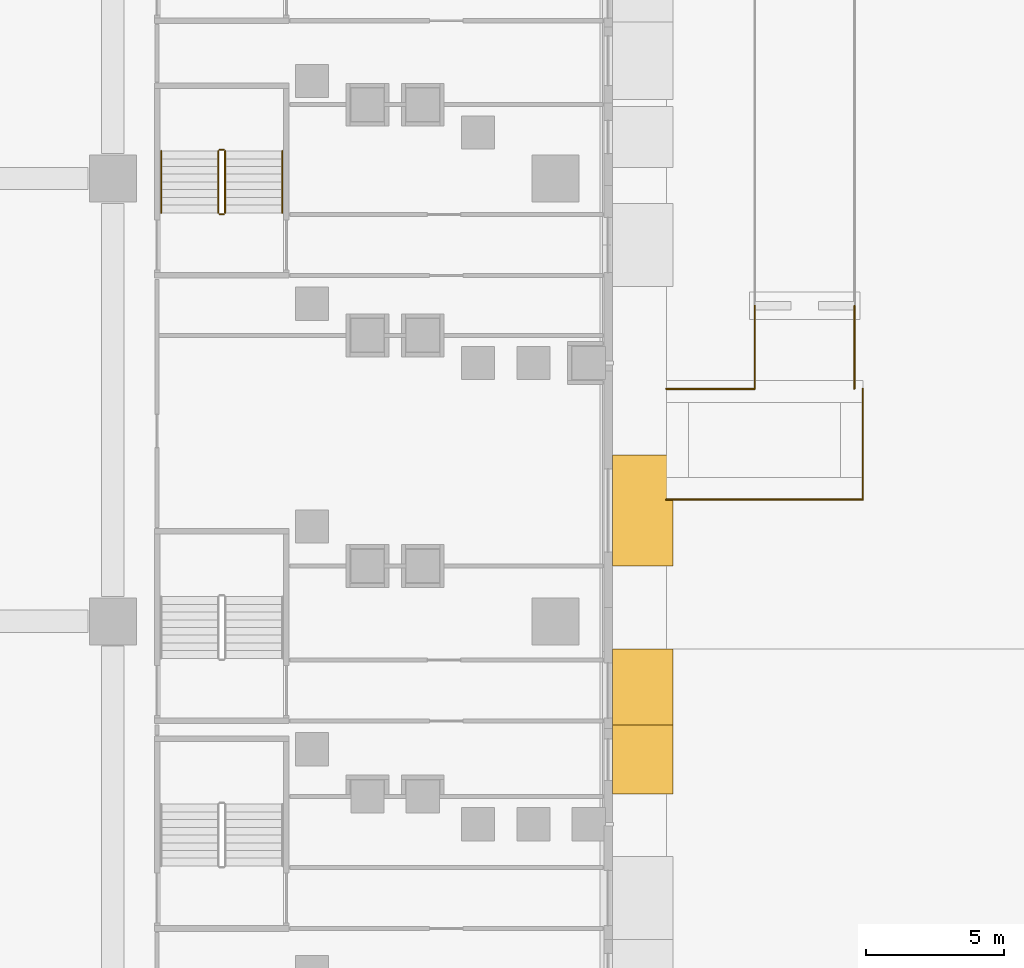
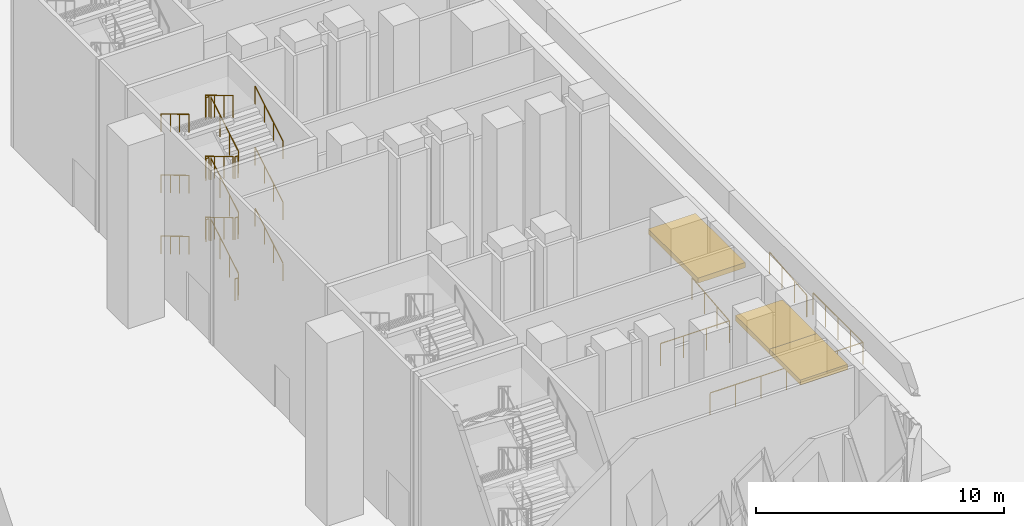
# One storey, part 41 of 51: 23 railings, 3 shading devices.
"""IFC4 building model written with IfcOpenShell, lengths in metres."""

import ifcopenshell
import ifcopenshell.guid

model = None  # the IFC model being written
_history = None  # IfcOwnerHistory: only IFC2X3 demands one
_inside = {}  # id of a spatial element -> (the spatial element, [elements in it])
_under = {}  # id of a project, library or spatial element -> (it, [spatial elements below it])
_declared = {}  # id of a project -> (the project, [libraries it declares])
_typed = {}  # id of a type object -> (the type object, [elements of that type])
_made_of = {}  # id of a material, layer set ... -> (it, [elements and type objects made of it])


def new_model(schema):
    """Start an empty IFC model of exactly this schema.

    Asked for "IFC4X3", IfcOpenShell would pick the latest addendum, in which some entities
    have other attributes; the version numbers below select the first issue.
    IFC2X3 requires an IfcOwnerHistory on every rooted entity: one is made here for all.
    """
    global model, _history
    if schema == "IFC4X3":
        model = ifcopenshell.file(schema_version=(4, 3, 0, 0))
    else:
        model = ifcopenshell.file(schema=schema)
    _inside.clear()
    _under.clear()
    _declared.clear()
    _typed.clear()
    _made_of.clear()
    _history = None
    if model.schema == "IFC2X3":
        org = make("IfcOrganization", Name="unknown")
        user = make(
            "IfcPersonAndOrganization",
            ThePerson=make("IfcPerson", FamilyName="unknown"),
            TheOrganization=org,
        )
        app = make(
            "IfcApplication",
            ApplicationDeveloper=org,
            Version="unknown",
            ApplicationFullName="unknown",
            ApplicationIdentifier="unknown",
        )
        _history = make(
            "IfcOwnerHistory",
            OwningUser=user,
            OwningApplication=app,
            ChangeAction="ADDED",
            CreationDate=0,
        )
    return model


def make(cls, **values):
    """One entity of the class cls with the attributes given. An attribute that is None is left unset."""
    return model.create_entity(
        cls, **{name: value for name, value in values.items() if value is not None}
    )


def rooted(cls, **values):
    """An entity with a GlobalId (a new one), such as an element, a storey or a relation."""
    return make(cls, GlobalId=ifcopenshell.guid.new(), OwnerHistory=_history, **values)


def si_unit(unit_type, name, prefix=None):
    """IfcSIUnit, for example si_unit("LENGTHUNIT", "METRE", prefix="MILLI")."""
    return make("IfcSIUnit", UnitType=unit_type, Prefix=prefix, Name=name)


def assignment(units):
    """IfcUnitAssignment: the units of a project."""
    return None if units is None else make("IfcUnitAssignment", Units=units)


def point(xyz):
    """IfcCartesianPoint."""
    return None if xyz is None else make("IfcCartesianPoint", Coordinates=xyz)


def direction(xyz):
    """IfcDirection."""
    return None if xyz is None else make("IfcDirection", DirectionRatios=xyz)


def frame(location, z_axis=None, x_axis=None):
    """IfcAxis2Placement3D, a coordinate frame: its origin and axes. An axis left out is left unset."""
    return make(
        "IfcAxis2Placement3D",
        Location=point(location),
        Axis=direction(z_axis),
        RefDirection=direction(x_axis),
    )


def frame_2d(location, x_axis=None):
    """IfcAxis2Placement2D, a coordinate frame in the plane: its origin and x axis."""
    return make(
        "IfcAxis2Placement2D", Location=point(location), RefDirection=direction(x_axis)
    )


def origin():
    """The frame at (0, 0, 0) with its axes left unset."""
    return frame((0.0, 0.0, 0.0))


def origin_2d():
    """The frame at (0, 0) in the plane with its x axis left unset."""
    return frame_2d((0.0, 0.0))


def place(relative_to, where):
    """IfcLocalPlacement: puts the frame where relative to a parent placement (None: the world)."""
    return make(
        "IfcLocalPlacement", PlacementRelTo=relative_to, RelativePlacement=where
    )


def context(
    kind, dimensions, precision=None, world=None, true_north=None, identifier=None
):
    """IfcGeometricRepresentationContext, for example the 3D "Model" context."""
    return make(
        "IfcGeometricRepresentationContext",
        ContextIdentifier=identifier,
        ContextType=kind,
        CoordinateSpaceDimension=dimensions,
        Precision=precision,
        WorldCoordinateSystem=world,
        TrueNorth=true_north,
    )


def subcontext(parent, identifier, kind, view, scale=None):
    """IfcGeometricRepresentationSubContext, for example "Body" below "Model"."""
    return make(
        "IfcGeometricRepresentationSubContext",
        ContextIdentifier=identifier,
        ContextType=kind,
        ParentContext=parent,
        TargetScale=scale,
        TargetView=view,
    )


def project(units=None, contexts=None):
    """IfcProject with its units and contexts."""
    return rooted(
        "IfcProject",
        Name="project",
        RepresentationContexts=contexts,
        UnitsInContext=assignment(units),
    )


def spatial(cls, under=None, at=None, **own):
    """A site, building, storey or space (cls), placed at a placement, below another one or the project."""
    s = rooted(cls, ObjectPlacement=at, **own)
    if under is not None:
        _under.setdefault(under.id(), (under, []))[1].append(s)
    return s


def profile(cls, at=None, kind="AREA", **sizes):
    """A parametric profile (cls). Its sizes go by their IFC names, for example OverallWidth=200.0."""
    return make(cls, ProfileType=kind, Position=at, **sizes)


def rectangle(**sizes):
    """IfcRectangleProfileDef."""
    return profile("IfcRectangleProfileDef", **sizes)


def circle(**sizes):
    """IfcCircleProfileDef."""
    return profile("IfcCircleProfileDef", **sizes)


def extrude(swept, where, along, depth):
    """IfcExtrudedAreaSolid: the profile swept, set in the frame where, extruded along a direction by depth."""
    return make(
        "IfcExtrudedAreaSolid",
        SweptArea=swept,
        Position=where,
        ExtrudedDirection=direction(along),
        Depth=depth,
    )


def shape(context_of_items, identifier, shape_type, items):
    """IfcShapeRepresentation: the items that make up one representation, for example the "Body"."""
    return make(
        "IfcShapeRepresentation",
        ContextOfItems=context_of_items,
        RepresentationIdentifier=identifier,
        RepresentationType=shape_type,
        Items=items,
    )


def material(Name=None, Category=None):
    """IfcMaterial."""
    return make("IfcMaterial", Name=Name, Category=Category)


def layer(
    of_material, thickness, ventilated=None, Name=None, Category=None, Priority=None
):
    """IfcMaterialLayer: one layer of a wall or slab, of a material (None: an air gap)."""
    return make(
        "IfcMaterialLayer",
        Material=of_material,
        LayerThickness=thickness,
        IsVentilated=ventilated,
        Name=Name,
        Category=Category,
        Priority=Priority,
    )


def layer_set(layers, Name=None):
    """IfcMaterialLayerSet."""
    return make("IfcMaterialLayerSet", MaterialLayers=layers, LayerSetName=Name)


def made_of(thing, what):
    """Note that an element or type object is made of a material, layer set ...; save() writes the relation."""
    if what is not None:
        _made_of.setdefault(what.id(), (what, []))[1].append(thing)
    return thing


def type_object(cls, material=None, **own):
    """A type object (cls), such as IfcWallType, which elements share."""
    return made_of(rooted(cls, **own), material)


def element(
    cls,
    number,
    at=None,
    inside=None,
    cuts=None,
    type_object=None,
    material=None,
    context=None,
    identifier="Body",
    shape_type=None,
    held_by="IfcProductDefinitionShape",
    body=None,
    shapes=None,
    **own,
):
    """One element of the class cls, such as IfcWall. Its Tag is "e" and its number.

    at: its placement. inside: the storey or other place that contains it. cuts: it is an
    opening in that element (IfcRelVoidsElement). A single representation is given by context,
    identifier, shape_type and body (its items); several are given by shapes. held_by: the class
    of the entity that holds the representations. save() writes the other relations.
    """
    e = rooted(cls, Tag="e%d" % number, ObjectPlacement=at, **own)
    if body is not None:
        shapes = [shape(context, identifier, shape_type, body)]
    if shapes is not None:
        e.Representation = make(held_by, Representations=shapes)
    if inside is not None:
        _inside.setdefault(inside.id(), (inside, []))[1].append(e)
    if cuts is not None:
        rooted(
            "IfcRelVoidsElement", RelatingBuildingElement=cuts, RelatedOpeningElement=e
        )
    if type_object is not None:
        _typed.setdefault(type_object.id(), (type_object, []))[1].append(e)
    return made_of(e, material)


def aggregate(whole, parts):
    """IfcRelAggregates: a whole, such as a stair, and the parts it consists of."""
    return rooted("IfcRelAggregates", RelatingObject=whole, RelatedObjects=parts)


def save(model, path):
    """Write the relations noted so far, then the file.

    IfcRelAggregates (storeys below a building ...), IfcRelContainedInSpatialStructure (elements
    in a storey), IfcRelDefinesByType, IfcRelAssociatesMaterial and IfcRelDeclares: one each for
    every whole, place, type object, material and project.
    """
    for whole, parts in _under.values():
        aggregate(whole, parts)
    for where, things in _inside.values():
        rooted(
            "IfcRelContainedInSpatialStructure",
            RelatedElements=things,
            RelatingStructure=where,
        )
    for kind, things in _typed.values():
        rooted("IfcRelDefinesByType", RelatedObjects=things, RelatingType=kind)
    for what, things in _made_of.values():
        rooted("IfcRelAssociatesMaterial", RelatedObjects=things, RelatingMaterial=what)
    for by, libraries in _declared.values():
        rooted("IfcRelDeclares", RelatingContext=by, RelatedDefinitions=libraries)
    model.write(path)


model = new_model("IFC4")

# Units and contexts
model_context = context("Model", 3, precision=1e-05, world=origin(), true_north=direction((0.0, 1.0)))
body_context = subcontext(model_context, "Body", "Model", "MODEL_VIEW")
ifc_project = project(units=[si_unit("LENGTHUNIT", "METRE"), si_unit("AREAUNIT", "SQUARE_METRE"), si_unit("VOLUMEUNIT", "CUBIC_METRE"), si_unit("PLANEANGLEUNIT", "RADIAN"), si_unit("MASSUNIT", "GRAM", prefix="KILO")], contexts=[model_context])

# Site, building, storey
site_placement = place(None, origin())
site = spatial("IfcSite", under=ifc_project, at=site_placement, CompositionType="ELEMENT")
building_placement = place(site_placement, origin())
building = spatial("IfcBuilding", under=site, at=building_placement, Name="Calabash Gate Tower", CompositionType="ELEMENT")
storey_placement = place(building_placement, origin())
storey = spatial("IfcBuildingStorey", under=building, at=storey_placement, Name="L00", CompositionType="ELEMENT", Elevation=0.0)

# Shading devices
ifc_material_1 = material(Name="Steel framed canopy with laminated glass", Category="steel")
ifc_layer = layer(ifc_material_1, 0.25)
ifc_layer_set = layer_set([ifc_layer], Name="Entrance canopy 250")
shading_device_type = type_object("IfcShadingDeviceType", Name="Entrance canopy 250", PredefinedType="AWNING", material=ifc_layer_set)
shading_device_1_placement = place(storey_placement, frame((51.14990234375, -28.99609375, 3.60009765625), z_axis=(0.0, 0.0, 1.0), x_axis=(0.0, 1.0, 0.0)))
element("IfcShadingDevice", 1, at=shading_device_1_placement, inside=storey, type_object=shading_device_type, Name="Entrance canopy 8", PredefinedType="AWNING", context=body_context, shape_type="SweptSolid", body=[
    extrude(rectangle(XDim=2.5, YDim=2.199951171875, at=origin_2d()), origin(), (0.0, 0.0, 1.0), 0.25),
])
shading_device_2_placement = place(storey_placement, frame((51.14990234375, -26.5, 3.60009765625), z_axis=(0.0, 0.0, 1.0), x_axis=(0.0, 1.0, 0.0)))
element("IfcShadingDevice", 2, at=shading_device_2_placement, inside=storey, type_object=shading_device_type, Name="Entrance canopy 9", PredefinedType="AWNING", context=body_context, shape_type="SweptSolid", body=[
    extrude(rectangle(XDim=3.0, YDim=2.199951171875, at=origin_2d()), origin(), (0.0, 0.0, 1.0), 0.25),
])
shading_device_3_placement = place(storey_placement, frame((51.14990234375, -19.99609375, 3.60009765625), z_axis=(0.0, 0.0, 1.0), x_axis=(0.0, 1.0, 0.0)))
element("IfcShadingDevice", 3, at=shading_device_3_placement, inside=storey, type_object=shading_device_type, Name="Entrance canopy 10", PredefinedType="AWNING", context=body_context, shape_type="SweptSolid", body=[
    extrude(rectangle(XDim=4.0, YDim=2.199951171875, at=origin_2d()), origin(), (0.0, 0.0, 1.0), 0.25),
])

# Railings
ifc_material_2 = material(Name="Galvanised steel balusters", Category="steel")
railing_type_1 = type_object("IfcRailingType", Name="Ramp guard RG1100", PredefinedType="GUARDRAIL", material=ifc_material_2)
for number, where, name in (
    (4, (55.199951171875, -15.60009765625, -5.0), "Entry Ramp guard"),
    (5, (58.800048828125, -15.60009765625, -5.0), "Entry Ramp guard"),
):
    element("IfcRailing", number, at=place(storey_placement, frame(where)), inside=storey, type_object=railing_type_1, Name=name, PredefinedType="GUARDRAIL", context=body_context, shape_type="SweptSolid", body=[
        extrude(circle(Radius=0.02392578125, at=origin_2d()), frame((0.0, 0.0, 1.076171875), z_axis=(0.0, 0.995035586592, 0.0995197539), x_axis=(-1.0, 0.0, 0.0)), (0.0, 0.0, 1.0), 3.014892578125),
        extrude(circle(Radius=0.02099609375, at=origin_2d()), origin(), (0.0, 0.0, 1.0), 1.052001953125),
        extrude(circle(Radius=0.02099609375, at=origin_2d()), frame((0.0, 1.0, 0.10009765625)), (0.0, 0.0, 1.0), 1.052001953125),
        extrude(circle(Radius=0.02099609375, at=origin_2d()), frame((0.0, 2.0, 0.199951171875)), (0.0, 0.0, 1.0), 1.052001953125),
        extrude(circle(Radius=0.02099609375, at=origin_2d()), frame((0.0, 3.0, 0.300048828125)), (0.0, 0.0, 1.0), 1.052001953125),
    ])
railing_1_placement = place(storey_placement, frame((52.0, -19.60009765625, -5.0)))
element("IfcRailing", 6, at=railing_1_placement, inside=storey, type_object=railing_type_1, Name="Entry Ramp landing guard", PredefinedType="GUARDRAIL", context=body_context, shape_type="SweptSolid", body=[
    extrude(circle(Radius=0.02392578125, at=origin_2d()), frame((0.0, 0.0, 1.076171875), z_axis=(1.0, 0.0, 0.0), x_axis=(0.0, 1.0, 0.0)), (0.0, 0.0, 1.0), 7.10009765625),
    extrude(circle(Radius=0.02099609375, at=origin_2d()), origin(), (0.0, 0.0, 1.0), 1.052001953125),
    extrude(circle(Radius=0.02099609375, at=origin_2d()), frame((1.183349609375, 0.0, 0.0)), (0.0, 0.0, 1.0), 1.052001953125),
    extrude(circle(Radius=0.02099609375, at=origin_2d()), frame((2.36669921875, 0.0, 0.0)), (0.0, 0.0, 1.0), 1.052001953125),
    extrude(circle(Radius=0.02099609375, at=origin_2d()), frame((3.550048828125, 0.0, 0.0)), (0.0, 0.0, 1.0), 1.052001953125),
    extrude(circle(Radius=0.02099609375, at=origin_2d()), frame((4.7333984375, 0.0, 0.0)), (0.0, 0.0, 1.0), 1.052001953125),
    extrude(circle(Radius=0.02099609375, at=origin_2d()), frame((5.916748046875, 0.0, 0.0)), (0.0, 0.0, 1.0), 1.052001953125),
    extrude(circle(Radius=0.02099609375, at=origin_2d()), frame((7.10009765625, 0.0, 0.0)), (0.0, 0.0, 1.0), 1.052001953125),
])
railing_2_placement = place(storey_placement, frame((59.10009765625, -19.60009765625, -5.0)))
element("IfcRailing", 7, at=railing_2_placement, inside=storey, type_object=railing_type_1, Name="Entry Ramp landing guard", PredefinedType="GUARDRAIL", context=body_context, shape_type="SweptSolid", body=[
    extrude(circle(Radius=0.02392578125, at=origin_2d()), frame((0.0, 0.0, 1.076171875), z_axis=(0.0, 1.0, 0.0), x_axis=(-1.0, 0.0, 0.0)), (0.0, 0.0, 1.0), 4.0),
    extrude(circle(Radius=0.02099609375, at=origin_2d()), origin(), (0.0, 0.0, 1.0), 1.052001953125),
    extrude(circle(Radius=0.02099609375, at=origin_2d()), frame((0.0, 1.0, 0.0)), (0.0, 0.0, 1.0), 1.052001953125),
    extrude(circle(Radius=0.02099609375, at=origin_2d()), frame((0.0, 2.0, 0.0)), (0.0, 0.0, 1.0), 1.052001953125),
    extrude(circle(Radius=0.02099609375, at=origin_2d()), frame((0.0, 3.0, 0.0)), (0.0, 0.0, 1.0), 1.052001953125),
    extrude(circle(Radius=0.02099609375, at=origin_2d()), frame((0.0, 4.0, 0.0)), (0.0, 0.0, 1.0), 1.052001953125),
])
railing_3_placement = place(storey_placement, frame((52.0, -15.60009765625, -5.0)))
element("IfcRailing", 8, at=railing_3_placement, inside=storey, type_object=railing_type_1, Name="Entry Ramp landing guard", PredefinedType="GUARDRAIL", context=body_context, shape_type="SweptSolid", body=[
    extrude(circle(Radius=0.02392578125, at=origin_2d()), frame((0.0, 0.0, 1.076171875), z_axis=(1.0, 0.0, 0.0), x_axis=(0.0, 1.0, 0.0)), (0.0, 0.0, 1.0), 3.199951171875),
    extrude(circle(Radius=0.02099609375, at=origin_2d()), origin(), (0.0, 0.0, 1.0), 1.052001953125),
    extrude(circle(Radius=0.02099609375, at=origin_2d()), frame((1.066650390625, 0.0, 0.0)), (0.0, 0.0, 1.0), 1.052001953125),
    extrude(circle(Radius=0.02099609375, at=origin_2d()), frame((2.13330078125, 0.0, 0.0)), (0.0, 0.0, 1.0), 1.052001953125),
    extrude(circle(Radius=0.02099609375, at=origin_2d()), frame((3.199951171875, 0.0, 0.0)), (0.0, 0.0, 1.0), 1.052001953125),
])
ifc_material_3 = material(Name="Black powder-coated steel balusters", Category="steel")
railing_type_2 = type_object("IfcRailingType", Name="Stair guard RL1100", PredefinedType="GUARDRAIL", material=ifc_material_3)
railing_4_placement = place(storey_placement, frame((36.06005859375, -9.239990234375, 0.166748046875)))
element("IfcRailing", 9, at=railing_4_placement, inside=storey, type_object=railing_type_2, Name="L00 PS8 stair guard 1", PredefinedType="GUARDRAIL", context=body_context, shape_type="SweptSolid", body=[
    extrude(circle(Radius=0.02392578125, at=origin_2d()), frame((0.0, 0.0, 1.076171875), z_axis=(0.0, 0.858493888361, 0.512823793955), x_axis=(-1.0, 0.0, 0.0)), (0.0, 0.0, 1.0), 2.599853515625),
    extrude(circle(Radius=0.02099609375, at=origin_2d()), origin(), (0.0, 0.0, 1.0), 1.052001953125),
    extrude(circle(Radius=0.02099609375, at=origin_2d()), frame((0.0, 0.743896484375, 0.4443359375)), (0.0, 0.0, 1.0), 1.052001953125),
    extrude(circle(Radius=0.02099609375, at=origin_2d()), frame((0.0, 1.488037109375, 0.888916015625)), (0.0, 0.0, 1.0), 1.052001953125),
    extrude(circle(Radius=0.02099609375, at=origin_2d()), frame((0.0, 2.23193359375, 1.333251953125)), (0.0, 0.0, 1.0), 1.052001953125),
])
railing_5_placement = place(storey_placement, frame((36.010009765625, -6.9580078125, 1.5)))
element("IfcRailing", 10, at=railing_5_placement, inside=storey, type_object=railing_type_2, Name="L00 PS8 stair guard 2", PredefinedType="GUARDRAIL", context=body_context, shape_type="SweptSolid", body=[
    extrude(circle(Radius=0.02392578125, at=origin_2d()), frame((0.0, 0.0, 1.076171875), z_axis=(-1.0, 0.0, 0.0), x_axis=(0.0, -1.0, 0.0)), (0.0, 0.0, 1.0), 0.14990234375),
    extrude(circle(Radius=0.02099609375, at=origin_2d()), origin(), (0.0, 0.0, 1.0), 1.052001953125),
    extrude(circle(Radius=0.02099609375, at=origin_2d()), frame((-0.14990234375, 0.0, 0.0)), (0.0, 0.0, 1.0), 1.052001953125),
])
railing_6_placement = place(storey_placement, frame((35.81005859375, -7.008056640625, 1.666748046875)))
element("IfcRailing", 11, at=railing_6_placement, inside=storey, type_object=railing_type_2, Name="L00 PS8 stair guard 3", PredefinedType="GUARDRAIL", context=body_context, shape_type="SweptSolid", body=[
    extrude(circle(Radius=0.02392578125, at=origin_2d()), frame((0.0, 0.0, 1.076171875), z_axis=(0.0, -0.858493888361, 0.512823793955), x_axis=(1.0, 0.0, 0.0)), (0.0, 0.0, 1.0), 2.599853515625),
    extrude(circle(Radius=0.02099609375, at=origin_2d()), origin(), (0.0, 0.0, 1.0), 1.052001953125),
    extrude(circle(Radius=0.02099609375, at=origin_2d()), frame((0.0, -0.743896484375, 0.4443359375)), (0.0, 0.0, 1.0), 1.052001953125),
    extrude(circle(Radius=0.02099609375, at=origin_2d()), frame((0.0, -1.488037109375, 0.888916015625)), (0.0, 0.0, 1.0), 1.052001953125),
    extrude(circle(Radius=0.02099609375, at=origin_2d()), frame((0.0, -2.23193359375, 1.333251953125)), (0.0, 0.0, 1.0), 1.052001953125),
])
railing_7_placement = place(storey_placement, frame((36.010009765625, -9.2900390625, 3.0)))
element("IfcRailing", 12, at=railing_7_placement, inside=storey, type_object=railing_type_2, Name="L00 PS8 stair guard 4", PredefinedType="GUARDRAIL", context=body_context, shape_type="SweptSolid", body=[
    extrude(circle(Radius=0.02392578125, at=origin_2d()), frame((0.0, 0.0, 1.076171875), z_axis=(-1.0, 0.0, 0.0), x_axis=(0.0, -1.0, 0.0)), (0.0, 0.0, 1.0), 0.14990234375),
    extrude(circle(Radius=0.02099609375, at=origin_2d()), origin(), (0.0, 0.0, 1.0), 1.052001953125),
    extrude(circle(Radius=0.02099609375, at=origin_2d()), frame((-0.14990234375, 0.0, 0.0)), (0.0, 0.0, 1.0), 1.052001953125),
])
railing_8_placement = place(storey_placement, frame((36.06005859375, -9.239990234375, 3.166748046875)))
element("IfcRailing", 13, at=railing_8_placement, inside=storey, type_object=railing_type_2, Name="L00 PS8 stair guard 5", PredefinedType="GUARDRAIL", context=body_context, shape_type="SweptSolid", body=[
    extrude(circle(Radius=0.02392578125, at=origin_2d()), frame((0.0, 0.0, 1.076171875), z_axis=(0.0, 0.858493888361, 0.512823793955), x_axis=(-1.0, 0.0, 0.0)), (0.0, 0.0, 1.0), 2.599853515625),
    extrude(circle(Radius=0.02099609375, at=origin_2d()), origin(), (0.0, 0.0, 1.0), 1.052001953125),
    extrude(circle(Radius=0.02099609375, at=origin_2d()), frame((0.0, 0.743896484375, 0.4443359375)), (0.0, 0.0, 1.0), 1.052001953125),
    extrude(circle(Radius=0.02099609375, at=origin_2d()), frame((0.0, 1.488037109375, 0.888916015625)), (0.0, 0.0, 1.0), 1.052001953125),
    extrude(circle(Radius=0.02099609375, at=origin_2d()), frame((0.0, 2.23193359375, 1.333251953125)), (0.0, 0.0, 1.0), 1.052001953125),
])
railing_9_placement = place(storey_placement, frame((36.010009765625, -6.9580078125, 4.5)))
element("IfcRailing", 14, at=railing_9_placement, inside=storey, type_object=railing_type_2, Name="L00 PS8 stair guard 6", PredefinedType="GUARDRAIL", context=body_context, shape_type="SweptSolid", body=[
    extrude(circle(Radius=0.02392578125, at=origin_2d()), frame((0.0, 0.0, 1.076171875), z_axis=(-1.0, 0.0, 0.0), x_axis=(0.0, -1.0, 0.0)), (0.0, 0.0, 1.0), 0.14990234375),
    extrude(circle(Radius=0.02099609375, at=origin_2d()), origin(), (0.0, 0.0, 1.0), 1.052001953125),
    extrude(circle(Radius=0.02099609375, at=origin_2d()), frame((-0.14990234375, 0.0, 0.0)), (0.0, 0.0, 1.0), 1.052001953125),
])
railing_10_placement = place(storey_placement, frame((35.81005859375, -7.008056640625, 4.666748046875)))
element("IfcRailing", 15, at=railing_10_placement, inside=storey, type_object=railing_type_2, Name="L00 PS8 stair guard 7", PredefinedType="GUARDRAIL", context=body_context, shape_type="SweptSolid", body=[
    extrude(circle(Radius=0.02392578125, at=origin_2d()), frame((0.0, 0.0, 1.076171875), z_axis=(0.0, -0.858493888361, 0.512823793955), x_axis=(1.0, 0.0, 0.0)), (0.0, 0.0, 1.0), 2.599853515625),
    extrude(circle(Radius=0.02099609375, at=origin_2d()), origin(), (0.0, 0.0, 1.0), 1.052001953125),
    extrude(circle(Radius=0.02099609375, at=origin_2d()), frame((0.0, -0.743896484375, 0.4443359375)), (0.0, 0.0, 1.0), 1.052001953125),
    extrude(circle(Radius=0.02099609375, at=origin_2d()), frame((0.0, -1.488037109375, 0.888916015625)), (0.0, 0.0, 1.0), 1.052001953125),
    extrude(circle(Radius=0.02099609375, at=origin_2d()), frame((0.0, -2.23193359375, 1.333251953125)), (0.0, 0.0, 1.0), 1.052001953125),
])
railing_11_placement = place(storey_placement, frame((36.010009765625, -9.2900390625, 6.0)))
element("IfcRailing", 16, at=railing_11_placement, inside=storey, type_object=railing_type_2, Name="L00 PS8 stair guard 8", PredefinedType="GUARDRAIL", context=body_context, shape_type="SweptSolid", body=[
    extrude(circle(Radius=0.02392578125, at=origin_2d()), frame((0.0, 0.0, 1.076171875), z_axis=(-1.0, 0.0, 0.0), x_axis=(0.0, -1.0, 0.0)), (0.0, 0.0, 1.0), 0.14990234375),
    extrude(circle(Radius=0.02099609375, at=origin_2d()), origin(), (0.0, 0.0, 1.0), 1.052001953125),
    extrude(circle(Radius=0.02099609375, at=origin_2d()), frame((-0.14990234375, 0.0, 0.0)), (0.0, 0.0, 1.0), 1.052001953125),
])
railing_12_placement = place(storey_placement, frame((36.06005859375, -9.239990234375, 6.166748046875)))
element("IfcRailing", 17, at=railing_12_placement, inside=storey, type_object=railing_type_2, Name="L00 PS8 stair guard 9", PredefinedType="GUARDRAIL", context=body_context, shape_type="SweptSolid", body=[
    extrude(circle(Radius=0.02392578125, at=origin_2d()), frame((0.0, 0.0, 1.076171875), z_axis=(0.0, 0.858493888361, 0.512823793955), x_axis=(-1.0, 0.0, 0.0)), (0.0, 0.0, 1.0), 2.599853515625),
    extrude(circle(Radius=0.02099609375, at=origin_2d()), origin(), (0.0, 0.0, 1.0), 1.052001953125),
    extrude(circle(Radius=0.02099609375, at=origin_2d()), frame((0.0, 0.743896484375, 0.4443359375)), (0.0, 0.0, 1.0), 1.052001953125),
    extrude(circle(Radius=0.02099609375, at=origin_2d()), frame((0.0, 1.488037109375, 0.888916015625)), (0.0, 0.0, 1.0), 1.052001953125),
    extrude(circle(Radius=0.02099609375, at=origin_2d()), frame((0.0, 2.23193359375, 1.333251953125)), (0.0, 0.0, 1.0), 1.052001953125),
])
railing_13_placement = place(storey_placement, frame((36.010009765625, -6.9580078125, 7.5)))
element("IfcRailing", 18, at=railing_13_placement, inside=storey, type_object=railing_type_2, Name="L00 PS8 stair guard 10", PredefinedType="GUARDRAIL", context=body_context, shape_type="SweptSolid", body=[
    extrude(circle(Radius=0.02392578125, at=origin_2d()), frame((0.0, 0.0, 1.076171875), z_axis=(-1.0, 0.0, 0.0), x_axis=(0.0, -1.0, 0.0)), (0.0, 0.0, 1.0), 0.14990234375),
    extrude(circle(Radius=0.02099609375, at=origin_2d()), origin(), (0.0, 0.0, 1.0), 1.052001953125),
    extrude(circle(Radius=0.02099609375, at=origin_2d()), frame((-0.14990234375, 0.0, 0.0)), (0.0, 0.0, 1.0), 1.052001953125),
])
railing_14_placement = place(storey_placement, frame((35.81005859375, -7.008056640625, 7.666748046875)))
element("IfcRailing", 19, at=railing_14_placement, inside=storey, type_object=railing_type_2, Name="L00 PS8 stair guard 11", PredefinedType="GUARDRAIL", context=body_context, shape_type="SweptSolid", body=[
    extrude(circle(Radius=0.02392578125, at=origin_2d()), frame((0.0, 0.0, 1.076171875), z_axis=(0.0, -0.858493888361, 0.512823793955), x_axis=(1.0, 0.0, 0.0)), (0.0, 0.0, 1.0), 2.599853515625),
    extrude(circle(Radius=0.02099609375, at=origin_2d()), origin(), (0.0, 0.0, 1.0), 1.052001953125),
    extrude(circle(Radius=0.02099609375, at=origin_2d()), frame((0.0, -0.743896484375, 0.4443359375)), (0.0, 0.0, 1.0), 1.052001953125),
    extrude(circle(Radius=0.02099609375, at=origin_2d()), frame((0.0, -1.488037109375, 0.888916015625)), (0.0, 0.0, 1.0), 1.052001953125),
    extrude(circle(Radius=0.02099609375, at=origin_2d()), frame((0.0, -2.23193359375, 1.333251953125)), (0.0, 0.0, 1.0), 1.052001953125),
])
railing_15_placement = place(storey_placement, frame((36.010009765625, -9.2900390625, 0.0)))
element("IfcRailing", 20, at=railing_15_placement, inside=storey, type_object=railing_type_2, Name="L00 PS8 stair guard 12", PredefinedType="GUARDRAIL", context=body_context, shape_type="SweptSolid", body=[
    extrude(circle(Radius=0.02392578125, at=origin_2d()), frame((0.0, 0.0, 1.076171875), z_axis=(-1.0, 0.0, 0.0), x_axis=(0.0, -1.0, 0.0)), (0.0, 0.0, 1.0), 0.14990234375),
    extrude(circle(Radius=0.02099609375, at=origin_2d()), origin(), (0.0, 0.0, 1.0), 1.052001953125),
    extrude(circle(Radius=0.02099609375, at=origin_2d()), frame((-0.14990234375, 0.0, 0.0)), (0.0, 0.0, 1.0), 1.052001953125),
])
ifc_material_4 = material(Name="Black powder-coated steel tube 48 mm", Category="steel")
railing_type_3 = type_object("IfcRailingType", Name="Stair handrail RL900", PredefinedType="HANDRAIL", material=ifc_material_4)
railing_16_placement = place(storey_placement, frame((38.1201171875, -9.239990234375, 0.166748046875)))
element("IfcRailing", 21, at=railing_16_placement, inside=storey, type_object=railing_type_3, Name="L00 PS8 stair handrail 1", PredefinedType="HANDRAIL", context=body_context, shape_type="SweptSolid", body=[
    extrude(circle(Radius=0.02392578125, at=origin_2d()), frame((0.0, 0.0, 0.8759765625), z_axis=(0.0, 0.858493888361, 0.512823793955), x_axis=(-1.0, 0.0, 0.0)), (0.0, 0.0, 1.0), 2.599853515625),
    extrude(circle(Radius=0.02099609375, at=origin_2d()), origin(), (0.0, 0.0, 1.0), 0.851806640625),
    extrude(circle(Radius=0.02099609375, at=origin_2d()), frame((0.0, 0.743896484375, 0.4443359375)), (0.0, 0.0, 1.0), 0.851806640625),
    extrude(circle(Radius=0.02099609375, at=origin_2d()), frame((0.0, 1.488037109375, 0.888916015625)), (0.0, 0.0, 1.0), 0.851806640625),
    extrude(circle(Radius=0.02099609375, at=origin_2d()), frame((0.0, 2.23193359375, 1.333251953125)), (0.0, 0.0, 1.0), 0.851806640625),
])
railing_17_placement = place(storey_placement, frame((33.75, -7.008056640625, 1.666748046875)))
element("IfcRailing", 22, at=railing_17_placement, inside=storey, type_object=railing_type_3, Name="L00 PS8 stair handrail 2", PredefinedType="HANDRAIL", context=body_context, shape_type="SweptSolid", body=[
    extrude(circle(Radius=0.02392578125, at=origin_2d()), frame((0.0, 0.0, 0.8759765625), z_axis=(0.0, -0.858493888361, 0.512823793955), x_axis=(1.0, 0.0, 0.0)), (0.0, 0.0, 1.0), 2.599853515625),
    extrude(circle(Radius=0.02099609375, at=origin_2d()), origin(), (0.0, 0.0, 1.0), 0.851806640625),
    extrude(circle(Radius=0.02099609375, at=origin_2d()), frame((0.0, -0.743896484375, 0.4443359375)), (0.0, 0.0, 1.0), 0.851806640625),
    extrude(circle(Radius=0.02099609375, at=origin_2d()), frame((0.0, -1.488037109375, 0.888916015625)), (0.0, 0.0, 1.0), 0.851806640625),
    extrude(circle(Radius=0.02099609375, at=origin_2d()), frame((0.0, -2.23193359375, 1.333251953125)), (0.0, 0.0, 1.0), 0.851806640625),
])
railing_18_placement = place(storey_placement, frame((38.1201171875, -9.239990234375, 3.166748046875)))
element("IfcRailing", 23, at=railing_18_placement, inside=storey, type_object=railing_type_3, Name="L00 PS8 stair handrail 3", PredefinedType="HANDRAIL", context=body_context, shape_type="SweptSolid", body=[
    extrude(circle(Radius=0.02392578125, at=origin_2d()), frame((0.0, 0.0, 0.8759765625), z_axis=(0.0, 0.858493888361, 0.512823793955), x_axis=(-1.0, 0.0, 0.0)), (0.0, 0.0, 1.0), 2.599853515625),
    extrude(circle(Radius=0.02099609375, at=origin_2d()), origin(), (0.0, 0.0, 1.0), 0.851806640625),
    extrude(circle(Radius=0.02099609375, at=origin_2d()), frame((0.0, 0.743896484375, 0.4443359375)), (0.0, 0.0, 1.0), 0.851806640625),
    extrude(circle(Radius=0.02099609375, at=origin_2d()), frame((0.0, 1.488037109375, 0.888916015625)), (0.0, 0.0, 1.0), 0.851806640625),
    extrude(circle(Radius=0.02099609375, at=origin_2d()), frame((0.0, 2.23193359375, 1.333251953125)), (0.0, 0.0, 1.0), 0.851806640625),
])
railing_19_placement = place(storey_placement, frame((33.75, -7.008056640625, 4.666748046875)))
element("IfcRailing", 24, at=railing_19_placement, inside=storey, type_object=railing_type_3, Name="L00 PS8 stair handrail 4", PredefinedType="HANDRAIL", context=body_context, shape_type="SweptSolid", body=[
    extrude(circle(Radius=0.02392578125, at=origin_2d()), frame((0.0, 0.0, 0.8759765625), z_axis=(0.0, -0.858493888361, 0.512823793955), x_axis=(1.0, 0.0, 0.0)), (0.0, 0.0, 1.0), 2.599853515625),
    extrude(circle(Radius=0.02099609375, at=origin_2d()), origin(), (0.0, 0.0, 1.0), 0.851806640625),
    extrude(circle(Radius=0.02099609375, at=origin_2d()), frame((0.0, -0.743896484375, 0.4443359375)), (0.0, 0.0, 1.0), 0.851806640625),
    extrude(circle(Radius=0.02099609375, at=origin_2d()), frame((0.0, -1.488037109375, 0.888916015625)), (0.0, 0.0, 1.0), 0.851806640625),
    extrude(circle(Radius=0.02099609375, at=origin_2d()), frame((0.0, -2.23193359375, 1.333251953125)), (0.0, 0.0, 1.0), 0.851806640625),
])
railing_20_placement = place(storey_placement, frame((38.1201171875, -9.239990234375, 6.166748046875)))
element("IfcRailing", 25, at=railing_20_placement, inside=storey, type_object=railing_type_3, Name="L00 PS8 stair handrail 5", PredefinedType="HANDRAIL", context=body_context, shape_type="SweptSolid", body=[
    extrude(circle(Radius=0.02392578125, at=origin_2d()), frame((0.0, 0.0, 0.8759765625), z_axis=(0.0, 0.858493888361, 0.512823793955), x_axis=(-1.0, 0.0, 0.0)), (0.0, 0.0, 1.0), 2.599853515625),
    extrude(circle(Radius=0.02099609375, at=origin_2d()), origin(), (0.0, 0.0, 1.0), 0.851806640625),
    extrude(circle(Radius=0.02099609375, at=origin_2d()), frame((0.0, 0.743896484375, 0.4443359375)), (0.0, 0.0, 1.0), 0.851806640625),
    extrude(circle(Radius=0.02099609375, at=origin_2d()), frame((0.0, 1.488037109375, 0.888916015625)), (0.0, 0.0, 1.0), 0.851806640625),
    extrude(circle(Radius=0.02099609375, at=origin_2d()), frame((0.0, 2.23193359375, 1.333251953125)), (0.0, 0.0, 1.0), 0.851806640625),
])
railing_21_placement = place(storey_placement, frame((33.75, -7.008056640625, 7.666748046875)))
element("IfcRailing", 26, at=railing_21_placement, inside=storey, type_object=railing_type_3, Name="L00 PS8 stair handrail 6", PredefinedType="HANDRAIL", context=body_context, shape_type="SweptSolid", body=[
    extrude(circle(Radius=0.02392578125, at=origin_2d()), frame((0.0, 0.0, 0.8759765625), z_axis=(0.0, -0.858493888361, 0.512823793955), x_axis=(1.0, 0.0, 0.0)), (0.0, 0.0, 1.0), 2.599853515625),
    extrude(circle(Radius=0.02099609375, at=origin_2d()), origin(), (0.0, 0.0, 1.0), 0.851806640625),
    extrude(circle(Radius=0.02099609375, at=origin_2d()), frame((0.0, -0.743896484375, 0.4443359375)), (0.0, 0.0, 1.0), 0.851806640625),
    extrude(circle(Radius=0.02099609375, at=origin_2d()), frame((0.0, -1.488037109375, 0.888916015625)), (0.0, 0.0, 1.0), 0.851806640625),
    extrude(circle(Radius=0.02099609375, at=origin_2d()), frame((0.0, -2.23193359375, 1.333251953125)), (0.0, 0.0, 1.0), 0.851806640625),
])

save(model, "model.ifc")
